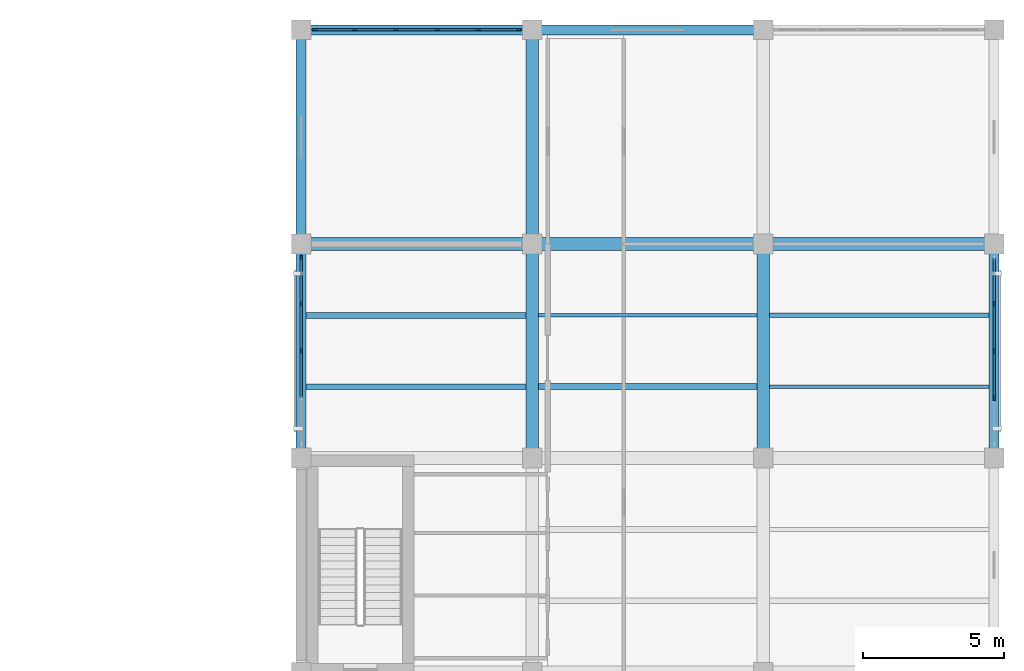
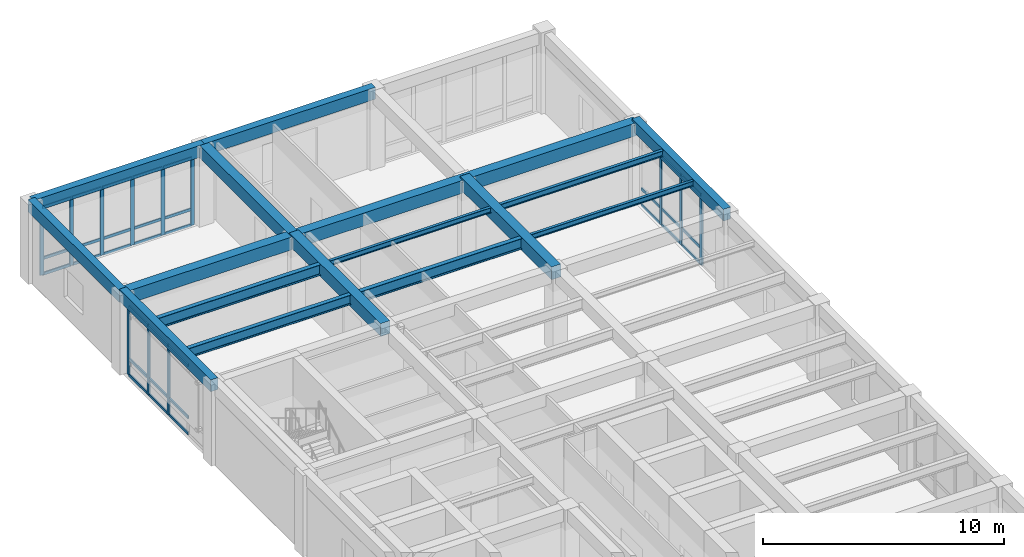
# One storey, part 4 of 13: 44 members, 17 beams, 3 elements without a shape of their own.
"""IFC4 building model written with IfcOpenShell, lengths in metres."""

from ifc_helpers import new_model, si_unit, direction, frame, origin, origin_2d, place, context, subcontext, project, spatial, rectangle, i_section, extrude, material, material_profile, profile_set, type_object, element, aggregate, save


model = new_model("IFC4")

# Units and contexts
model_context = context("Model", 3, precision=1e-05, world=origin(), true_north=direction((0.0, 1.0)))
body_context = subcontext(model_context, "Body", "Model", "MODEL_VIEW")
ifc_project = project(units=[si_unit("LENGTHUNIT", "METRE"), si_unit("AREAUNIT", "SQUARE_METRE"), si_unit("VOLUMEUNIT", "CUBIC_METRE"), si_unit("PLANEANGLEUNIT", "RADIAN"), si_unit("MASSUNIT", "GRAM", prefix="KILO")], contexts=[model_context])

# Site, building, storey
site_placement = place(None, origin())
site = spatial("IfcSite", under=ifc_project, at=site_placement, CompositionType="ELEMENT")
building_placement = place(site_placement, origin())
building = spatial("IfcBuilding", under=site, at=building_placement, Name="Qandaris Square Conservatory and Botanical Centre", CompositionType="ELEMENT")
storey_placement = place(building_placement, frame((0.0, 0.0, 61.800048828125)))
storey = spatial("IfcBuildingStorey", under=building, at=storey_placement, Name="L14", CompositionType="ELEMENT", Elevation=61.800048828125)

# Beams
ifc_material_1 = material(Name="Steel S355", Category="steel")
ifc_material_profile_1 = material_profile(ifc_material_1, i_section(OverallWidth=0.199951171875, OverallDepth=0.5, WebThickness=0.01025390625, FlangeThickness=0.01611328125, FilletRadius=0.02099609375, at=origin_2d()), Name="IPE 500")
ifc_profile_set_1 = profile_set([ifc_material_profile_1], Name="Steel S355")
beam_type_1 = type_object("IfcBeamType", Name="Composite Gallery Joist IPE 500", PredefinedType="JOIST", material=ifc_profile_set_1)
beam_1_placement = place(storey_placement, frame((139.375, 49.533203125, 3.849853515625), z_axis=(1.0, 0.0, 0.0), x_axis=(0.0, 1.0, 0.0)))
element("IfcBeam", 1, at=beam_1_placement, inside=storey, type_object=beam_type_1, Name="L14 Composite Joist 2885", PredefinedType="JOIST", context=body_context, shape_type="SweptSolid", body=[
    extrude(i_section(OverallWidth=0.199951171875, OverallDepth=0.5, WebThickness=0.01025390625, FlangeThickness=0.01611328125, FilletRadius=0.02099609375, at=origin_2d()), origin(), (0.0, 0.0, 1.0), 7.800048828125),
])
ifc_material_profile_2 = material_profile(ifc_material_1, i_section(OverallWidth=0.14990234375, OverallDepth=0.300048828125, WebThickness=0.007080078125, FlangeThickness=0.0107421875, FilletRadius=0.014892578125, at=origin_2d()), Name="IPE 300")
ifc_profile_set_2 = profile_set([ifc_material_profile_2], Name="Steel S355")
beam_type_2 = type_object("IfcBeamType", Name="Composite Lab Joist IPE 300", PredefinedType="JOIST", material=ifc_profile_set_2)
beam_2_placement = place(storey_placement, frame((155.824951171875, 52.066650390625, 3.949951171875), z_axis=(1.0, 0.0, 0.0), x_axis=(0.0, 1.0, 0.0)))
element("IfcBeam", 2, at=beam_2_placement, inside=storey, type_object=beam_type_2, Name="L14 Composite Joist 2903", PredefinedType="JOIST", context=body_context, shape_type="SweptSolid", body=[
    extrude(i_section(OverallWidth=0.14990234375, OverallDepth=0.300048828125, WebThickness=0.007080078125, FlangeThickness=0.0107421875, FilletRadius=0.014892578125, at=origin_2d()), origin(), (0.0, 0.0, 1.0), 7.800048828125),
])

# Curtain wall, members
ifc_material_2 = material(Name="Anodised Aluminium", Category="aluminium")
curtain_wall_type_1 = type_object("IfcCurtainWallType", Name="Unitised Curtain Wall CW-4-670x355", PredefinedType="USERDEFINED", material=ifc_material_2)
curtain_wall_1_placement = place(storey_placement, origin())
curtain_wall_1 = element("IfcCurtainWall", 3, at=curtain_wall_1_placement, inside=storey, type_object=curtain_wall_type_1, Name="Curtain Wall CW-TWR-L14-2-5", ObjectType="GLAZED CURTAIN WALL", PredefinedType="USERDEFINED")
ifc_material_profile_3 = material_profile(ifc_material_2, rectangle(XDim=0.06494140625, YDim=0.179931640625, at=origin_2d()), Name="ALU-MUL 65x180")
ifc_profile_set_3 = profile_set([ifc_material_profile_3], Name="Anodised Aluminium")
member_type_1 = type_object("IfcMemberType", Name="Curtain Wall Mullion 65x180", PredefinedType="MULLION", material=ifc_profile_set_3)
member_1_placement = place(storey_placement, frame((163.800048828125, 49.125, 0.0), z_axis=(0.0, 0.0, 1.0), x_axis=(-1.0, 0.0, 0.0)))
member_1 = element("IfcMember", 4, at=member_1_placement, type_object=member_type_1, Name="CW-4-670x355 mullion 2", PredefinedType="MULLION", context=body_context, shape_type="SweptSolid", body=[
    extrude(rectangle(XDim=0.06494140625, YDim=0.179931640625, at=origin_2d()), origin(), (0.0, 0.0, 1.0), 3.544921875),
])
member_2_placement = place(storey_placement, frame((163.800048828125, 50.800048828125, 0.0), z_axis=(0.0, 0.0, 1.0), x_axis=(-1.0, 0.0, 0.0)))
member_2 = element("IfcMember", 5, at=member_2_placement, type_object=member_type_1, Name="CW-4-670x355 mullion 3", PredefinedType="MULLION", context=body_context, shape_type="SweptSolid", body=[
    extrude(rectangle(XDim=0.06494140625, YDim=0.179931640625, at=origin_2d()), origin(), (0.0, 0.0, 1.0), 3.544921875),
])
member_3_placement = place(storey_placement, frame((163.800048828125, 52.47509765625, 0.0), z_axis=(0.0, 0.0, 1.0), x_axis=(-1.0, 0.0, 0.0)))
member_3 = element("IfcMember", 6, at=member_3_placement, type_object=member_type_1, Name="CW-4-670x355 mullion 4", PredefinedType="MULLION", context=body_context, shape_type="SweptSolid", body=[
    extrude(rectangle(XDim=0.06494140625, YDim=0.179931640625, at=origin_2d()), origin(), (0.0, 0.0, 1.0), 3.544921875),
])

curtain_wall_type_2 = type_object("IfcCurtainWallType", Name="Unitised Curtain Wall CW-3-730x344", PredefinedType="USERDEFINED", material=ifc_material_2)
curtain_wall_2_placement = place(storey_placement, origin())
curtain_wall_2 = element("IfcCurtainWall", 7, at=curtain_wall_2_placement, inside=storey, type_object=curtain_wall_type_2, Name="Curtain Wall CW-TWR-L14-3-3", ObjectType="GLAZED CURTAIN WALL", PredefinedType="USERDEFINED")
member_4_placement = place(storey_placement, frame((146.91748046875, 62.199951171875, 0.0), z_axis=(0.0, 0.0, 1.0), x_axis=(0.0, -1.0, 0.0)))
member_4 = element("IfcMember", 8, at=member_4_placement, type_object=member_type_1, Name="CW-3-730x344 mullion 1", PredefinedType="MULLION", context=body_context, shape_type="SweptSolid", body=[
    extrude(rectangle(XDim=0.06494140625, YDim=0.179931640625, at=origin_2d()), origin(), (0.0, 0.0, 1.0), 3.43994140625),
])
member_5_placement = place(storey_placement, frame((145.489990234375, 62.199951171875, 0.0), z_axis=(0.0, 0.0, 1.0), x_axis=(0.0, -1.0, 0.0)))
member_5 = element("IfcMember", 9, at=member_5_placement, type_object=member_type_1, Name="CW-3-730x344 mullion 2", PredefinedType="MULLION", context=body_context, shape_type="SweptSolid", body=[
    extrude(rectangle(XDim=0.06494140625, YDim=0.179931640625, at=origin_2d()), origin(), (0.0, 0.0, 1.0), 3.43994140625),
])
member_6_placement = place(storey_placement, frame((144.030029296875, 62.199951171875, 0.0), z_axis=(0.0, 0.0, 1.0), x_axis=(0.0, -1.0, 0.0)))
member_6 = element("IfcMember", 10, at=member_6_placement, type_object=member_type_1, Name="CW-3-730x344 mullion 3", PredefinedType="MULLION", context=body_context, shape_type="SweptSolid", body=[
    extrude(rectangle(XDim=0.06494140625, YDim=0.179931640625, at=origin_2d()), origin(), (0.0, 0.0, 1.0), 3.43994140625),
])
member_7_placement = place(storey_placement, frame((142.570068359375, 62.199951171875, 0.0), z_axis=(0.0, 0.0, 1.0), x_axis=(0.0, -1.0, 0.0)))
member_7 = element("IfcMember", 11, at=member_7_placement, type_object=member_type_1, Name="CW-3-730x344 mullion 4", PredefinedType="MULLION", context=body_context, shape_type="SweptSolid", body=[
    extrude(rectangle(XDim=0.06494140625, YDim=0.179931640625, at=origin_2d()), origin(), (0.0, 0.0, 1.0), 3.43994140625),
])
member_8_placement = place(storey_placement, frame((141.110107421875, 62.199951171875, 0.0), z_axis=(0.0, 0.0, 1.0), x_axis=(0.0, -1.0, 0.0)))
member_8 = element("IfcMember", 12, at=member_8_placement, type_object=member_type_1, Name="CW-3-730x344 mullion 5", PredefinedType="MULLION", context=body_context, shape_type="SweptSolid", body=[
    extrude(rectangle(XDim=0.06494140625, YDim=0.179931640625, at=origin_2d()), origin(), (0.0, 0.0, 1.0), 3.43994140625),
])
member_9_placement = place(storey_placement, frame((139.6826171875, 62.199951171875, 0.0), z_axis=(0.0, 0.0, 1.0), x_axis=(0.0, -1.0, 0.0)))
member_9 = element("IfcMember", 13, at=member_9_placement, type_object=member_type_1, Name="CW-3-730x344 mullion 6", PredefinedType="MULLION", context=body_context, shape_type="SweptSolid", body=[
    extrude(rectangle(XDim=0.06494140625, YDim=0.179931640625, at=origin_2d()), origin(), (0.0, 0.0, 1.0), 3.43994140625),
])

curtain_wall_type_3 = type_object("IfcCurtainWallType", Name="Unitised Curtain Wall CW-4-670x351", PredefinedType="USERDEFINED", material=ifc_material_2)
curtain_wall_3_placement = place(storey_placement, origin())
curtain_wall_3 = element("IfcCurtainWall", 14, at=curtain_wall_3_placement, inside=storey, type_object=curtain_wall_type_3, Name="Curtain Wall CW-TWR-L14-4-2", ObjectType="GLAZED CURTAIN WALL", PredefinedType="USERDEFINED")
member_10_placement = place(storey_placement, frame((139.199951171875, 54.117431640625, 0.0), z_axis=(0.0, 0.0, 1.0), x_axis=(1.0, 0.0, 0.0)))
member_10 = element("IfcMember", 15, at=member_10_placement, type_object=member_type_1, Name="CW-4-670x351 mullion 1", PredefinedType="MULLION", context=body_context, shape_type="SweptSolid", body=[
    extrude(rectangle(XDim=0.06494140625, YDim=0.179931640625, at=origin_2d()), origin(), (0.0, 0.0, 1.0), 3.510009765625),
])
member_11_placement = place(storey_placement, frame((139.199951171875, 52.47509765625, 0.0), z_axis=(0.0, 0.0, 1.0), x_axis=(1.0, 0.0, 0.0)))
member_11 = element("IfcMember", 16, at=member_11_placement, type_object=member_type_1, Name="CW-4-670x351 mullion 2", PredefinedType="MULLION", context=body_context, shape_type="SweptSolid", body=[
    extrude(rectangle(XDim=0.06494140625, YDim=0.179931640625, at=origin_2d()), origin(), (0.0, 0.0, 1.0), 3.510009765625),
])
member_12_placement = place(storey_placement, frame((139.199951171875, 50.800048828125, 0.0), z_axis=(0.0, 0.0, 1.0), x_axis=(1.0, 0.0, 0.0)))
member_12 = element("IfcMember", 17, at=member_12_placement, type_object=member_type_1, Name="CW-4-670x351 mullion 3", PredefinedType="MULLION", context=body_context, shape_type="SweptSolid", body=[
    extrude(rectangle(XDim=0.06494140625, YDim=0.179931640625, at=origin_2d()), origin(), (0.0, 0.0, 1.0), 3.510009765625),
])

# Member
ifc_material_profile_4 = material_profile(ifc_material_2, rectangle(XDim=0.06494140625, YDim=0.139892578125, at=origin_2d()), Name="ALU-TRN 65x140")
ifc_profile_set_4 = profile_set([ifc_material_profile_4], Name="Anodised Aluminium")
member_type_2 = type_object("IfcMemberType", Name="Curtain Wall Transom 65x140", PredefinedType="USERDEFINED", material=ifc_profile_set_4)
member_13_placement = place(storey_placement, frame((163.800048828125, 49.157470703125, 0.032470703125), z_axis=(0.0, 1.0, 0.0), x_axis=(-1.0, 0.0, 0.0)))
member_13 = element("IfcMember", 18, at=member_13_placement, type_object=member_type_2, Name="CW-4-670x355 transom 2.1", ObjectType="TRANSOM", PredefinedType="USERDEFINED", context=body_context, shape_type="SweptSolid", body=[
    extrude(rectangle(XDim=0.06494140625, YDim=0.139892578125, at=origin_2d()), origin(), (0.0, 0.0, 1.0), 1.610107421875),
])

member_14_placement = place(storey_placement, frame((163.800048828125, 49.157470703125, 0.849853515625), z_axis=(0.0, 1.0, 0.0), x_axis=(-1.0, 0.0, 0.0)))
member_14 = element("IfcMember", 19, at=member_14_placement, type_object=member_type_2, Name="CW-4-670x355 transom 2.2", ObjectType="TRANSOM", PredefinedType="USERDEFINED", context=body_context, shape_type="SweptSolid", body=[
    extrude(rectangle(XDim=0.06494140625, YDim=0.139892578125, at=origin_2d()), origin(), (0.0, 0.0, 1.0), 1.610107421875),
])

member_15_placement = place(storey_placement, frame((163.800048828125, 49.157470703125, 3.512451171875), z_axis=(0.0, 1.0, 0.0), x_axis=(-1.0, 0.0, 0.0)))
member_15 = element("IfcMember", 20, at=member_15_placement, type_object=member_type_2, Name="CW-4-670x355 transom 2.3", ObjectType="TRANSOM", PredefinedType="USERDEFINED", context=body_context, shape_type="SweptSolid", body=[
    extrude(rectangle(XDim=0.06494140625, YDim=0.139892578125, at=origin_2d()), origin(), (0.0, 0.0, 1.0), 1.610107421875),
])

member_16_placement = place(storey_placement, frame((163.800048828125, 50.83251953125, 0.032470703125), z_axis=(0.0, 1.0, 0.0), x_axis=(-1.0, 0.0, 0.0)))
member_16 = element("IfcMember", 21, at=member_16_placement, type_object=member_type_2, Name="CW-4-670x355 transom 3.1", ObjectType="TRANSOM", PredefinedType="USERDEFINED", context=body_context, shape_type="SweptSolid", body=[
    extrude(rectangle(XDim=0.06494140625, YDim=0.139892578125, at=origin_2d()), origin(), (0.0, 0.0, 1.0), 1.60986328125),
])

member_17_placement = place(storey_placement, frame((163.800048828125, 50.83251953125, 0.849853515625), z_axis=(0.0, 1.0, 0.0), x_axis=(-1.0, 0.0, 0.0)))
member_17 = element("IfcMember", 22, at=member_17_placement, type_object=member_type_2, Name="CW-4-670x355 transom 3.2", ObjectType="TRANSOM", PredefinedType="USERDEFINED", context=body_context, shape_type="SweptSolid", body=[
    extrude(rectangle(XDim=0.06494140625, YDim=0.139892578125, at=origin_2d()), origin(), (0.0, 0.0, 1.0), 1.60986328125),
])

member_18_placement = place(storey_placement, frame((163.800048828125, 50.83251953125, 3.512451171875), z_axis=(0.0, 1.0, 0.0), x_axis=(-1.0, 0.0, 0.0)))
member_18 = element("IfcMember", 23, at=member_18_placement, type_object=member_type_2, Name="CW-4-670x355 transom 3.3", ObjectType="TRANSOM", PredefinedType="USERDEFINED", context=body_context, shape_type="SweptSolid", body=[
    extrude(rectangle(XDim=0.06494140625, YDim=0.139892578125, at=origin_2d()), origin(), (0.0, 0.0, 1.0), 1.60986328125),
])

member_19_placement = place(storey_placement, frame((163.800048828125, 52.507568359375, 0.032470703125), z_axis=(0.0, 1.0, 0.0), x_axis=(-1.0, 0.0, 0.0)))
member_19 = element("IfcMember", 24, at=member_19_placement, type_object=member_type_2, Name="CW-4-670x355 transom 4.1", ObjectType="TRANSOM", PredefinedType="USERDEFINED", context=body_context, shape_type="SweptSolid", body=[
    extrude(rectangle(XDim=0.06494140625, YDim=0.139892578125, at=origin_2d()), origin(), (0.0, 0.0, 1.0), 1.577392578125),
])

member_20_placement = place(storey_placement, frame((163.800048828125, 52.507568359375, 0.849853515625), z_axis=(0.0, 1.0, 0.0), x_axis=(-1.0, 0.0, 0.0)))
member_20 = element("IfcMember", 25, at=member_20_placement, type_object=member_type_2, Name="CW-4-670x355 transom 4.2", ObjectType="TRANSOM", PredefinedType="USERDEFINED", context=body_context, shape_type="SweptSolid", body=[
    extrude(rectangle(XDim=0.06494140625, YDim=0.139892578125, at=origin_2d()), origin(), (0.0, 0.0, 1.0), 1.577392578125),
])

aggregate(curtain_wall_1, [member_1, member_2, member_3, member_13, member_14, member_15, member_16, member_17, member_18, member_19, member_20])

member_21_placement = place(storey_placement, frame((146.885009765625, 62.199951171875, 0.032470703125), z_axis=(-1.0, 0.0, 0.0), x_axis=(0.0, -1.0, 0.0)))
member_21 = element("IfcMember", 26, at=member_21_placement, type_object=member_type_2, Name="CW-3-730x344 transom 1.1", ObjectType="TRANSOM", PredefinedType="USERDEFINED", context=body_context, shape_type="SweptSolid", body=[
    extrude(rectangle(XDim=0.06494140625, YDim=0.139892578125, at=origin_2d()), origin(), (0.0, 0.0, 1.0), 1.362548828125),
])

member_22_placement = place(storey_placement, frame((146.885009765625, 62.199951171875, 0.825439453125), z_axis=(-1.0, 0.0, 0.0), x_axis=(0.0, -1.0, 0.0)))
member_22 = element("IfcMember", 27, at=member_22_placement, type_object=member_type_2, Name="CW-3-730x344 transom 1.2", ObjectType="TRANSOM", PredefinedType="USERDEFINED", context=body_context, shape_type="SweptSolid", body=[
    extrude(rectangle(XDim=0.06494140625, YDim=0.139892578125, at=origin_2d()), origin(), (0.0, 0.0, 1.0), 1.362548828125),
])

member_23_placement = place(storey_placement, frame((146.885009765625, 62.199951171875, 3.407470703125), z_axis=(-1.0, 0.0, 0.0), x_axis=(0.0, -1.0, 0.0)))
member_23 = element("IfcMember", 28, at=member_23_placement, type_object=member_type_2, Name="CW-3-730x344 transom 1.3", ObjectType="TRANSOM", PredefinedType="USERDEFINED", context=body_context, shape_type="SweptSolid", body=[
    extrude(rectangle(XDim=0.06494140625, YDim=0.139892578125, at=origin_2d()), origin(), (0.0, 0.0, 1.0), 1.362548828125),
])

member_24_placement = place(storey_placement, frame((145.45751953125, 62.199951171875, 0.032470703125), z_axis=(-1.0, 0.0, 0.0), x_axis=(0.0, -1.0, 0.0)))
member_24 = element("IfcMember", 29, at=member_24_placement, type_object=member_type_2, Name="CW-3-730x344 transom 2.1", ObjectType="TRANSOM", PredefinedType="USERDEFINED", context=body_context, shape_type="SweptSolid", body=[
    extrude(rectangle(XDim=0.06494140625, YDim=0.139892578125, at=origin_2d()), origin(), (0.0, 0.0, 1.0), 1.39501953125),
])

member_25_placement = place(storey_placement, frame((145.45751953125, 62.199951171875, 0.825439453125), z_axis=(-1.0, 0.0, 0.0), x_axis=(0.0, -1.0, 0.0)))
member_25 = element("IfcMember", 30, at=member_25_placement, type_object=member_type_2, Name="CW-3-730x344 transom 2.2", ObjectType="TRANSOM", PredefinedType="USERDEFINED", context=body_context, shape_type="SweptSolid", body=[
    extrude(rectangle(XDim=0.06494140625, YDim=0.139892578125, at=origin_2d()), origin(), (0.0, 0.0, 1.0), 1.39501953125),
])

member_26_placement = place(storey_placement, frame((145.45751953125, 62.199951171875, 3.407470703125), z_axis=(-1.0, 0.0, 0.0), x_axis=(0.0, -1.0, 0.0)))
member_26 = element("IfcMember", 31, at=member_26_placement, type_object=member_type_2, Name="CW-3-730x344 transom 2.3", ObjectType="TRANSOM", PredefinedType="USERDEFINED", context=body_context, shape_type="SweptSolid", body=[
    extrude(rectangle(XDim=0.06494140625, YDim=0.139892578125, at=origin_2d()), origin(), (0.0, 0.0, 1.0), 1.39501953125),
])

member_27_placement = place(storey_placement, frame((143.99755859375, 62.199951171875, 0.032470703125), z_axis=(-1.0, 0.0, 0.0), x_axis=(0.0, -1.0, 0.0)))
member_27 = element("IfcMember", 32, at=member_27_placement, type_object=member_type_2, Name="CW-3-730x344 transom 3.1", ObjectType="TRANSOM", PredefinedType="USERDEFINED", context=body_context, shape_type="SweptSolid", body=[
    extrude(rectangle(XDim=0.06494140625, YDim=0.139892578125, at=origin_2d()), origin(), (0.0, 0.0, 1.0), 1.39501953125),
])

member_28_placement = place(storey_placement, frame((143.99755859375, 62.199951171875, 0.825439453125), z_axis=(-1.0, 0.0, 0.0), x_axis=(0.0, -1.0, 0.0)))
member_28 = element("IfcMember", 33, at=member_28_placement, type_object=member_type_2, Name="CW-3-730x344 transom 3.2", ObjectType="TRANSOM", PredefinedType="USERDEFINED", context=body_context, shape_type="SweptSolid", body=[
    extrude(rectangle(XDim=0.06494140625, YDim=0.139892578125, at=origin_2d()), origin(), (0.0, 0.0, 1.0), 1.39501953125),
])

member_29_placement = place(storey_placement, frame((143.99755859375, 62.199951171875, 3.407470703125), z_axis=(-1.0, 0.0, 0.0), x_axis=(0.0, -1.0, 0.0)))
member_29 = element("IfcMember", 34, at=member_29_placement, type_object=member_type_2, Name="CW-3-730x344 transom 3.3", ObjectType="TRANSOM", PredefinedType="USERDEFINED", context=body_context, shape_type="SweptSolid", body=[
    extrude(rectangle(XDim=0.06494140625, YDim=0.139892578125, at=origin_2d()), origin(), (0.0, 0.0, 1.0), 1.39501953125),
])

member_30_placement = place(storey_placement, frame((142.53759765625, 62.199951171875, 0.032470703125), z_axis=(-1.0, 0.0, 0.0), x_axis=(0.0, -1.0, 0.0)))
member_30 = element("IfcMember", 35, at=member_30_placement, type_object=member_type_2, Name="CW-3-730x344 transom 4.1", ObjectType="TRANSOM", PredefinedType="USERDEFINED", context=body_context, shape_type="SweptSolid", body=[
    extrude(rectangle(XDim=0.06494140625, YDim=0.139892578125, at=origin_2d()), origin(), (0.0, 0.0, 1.0), 1.39501953125),
])

member_31_placement = place(storey_placement, frame((142.53759765625, 62.199951171875, 0.825439453125), z_axis=(-1.0, 0.0, 0.0), x_axis=(0.0, -1.0, 0.0)))
member_31 = element("IfcMember", 36, at=member_31_placement, type_object=member_type_2, Name="CW-3-730x344 transom 4.2", ObjectType="TRANSOM", PredefinedType="USERDEFINED", context=body_context, shape_type="SweptSolid", body=[
    extrude(rectangle(XDim=0.06494140625, YDim=0.139892578125, at=origin_2d()), origin(), (0.0, 0.0, 1.0), 1.39501953125),
])

member_32_placement = place(storey_placement, frame((142.53759765625, 62.199951171875, 3.407470703125), z_axis=(-1.0, 0.0, 0.0), x_axis=(0.0, -1.0, 0.0)))
member_32 = element("IfcMember", 37, at=member_32_placement, type_object=member_type_2, Name="CW-3-730x344 transom 4.3", ObjectType="TRANSOM", PredefinedType="USERDEFINED", context=body_context, shape_type="SweptSolid", body=[
    extrude(rectangle(XDim=0.06494140625, YDim=0.139892578125, at=origin_2d()), origin(), (0.0, 0.0, 1.0), 1.39501953125),
])

member_33_placement = place(storey_placement, frame((141.077392578125, 62.199951171875, 0.032470703125), z_axis=(-1.0, 0.0, 0.0), x_axis=(0.0, -1.0, 0.0)))
member_33 = element("IfcMember", 38, at=member_33_placement, type_object=member_type_2, Name="CW-3-730x344 transom 5.1", ObjectType="TRANSOM", PredefinedType="USERDEFINED", context=body_context, shape_type="SweptSolid", body=[
    extrude(rectangle(XDim=0.06494140625, YDim=0.139892578125, at=origin_2d()), origin(), (0.0, 0.0, 1.0), 1.3623046875),
])

member_34_placement = place(storey_placement, frame((141.077392578125, 62.199951171875, 0.825439453125), z_axis=(-1.0, 0.0, 0.0), x_axis=(0.0, -1.0, 0.0)))
member_34 = element("IfcMember", 39, at=member_34_placement, type_object=member_type_2, Name="CW-3-730x344 transom 5.2", ObjectType="TRANSOM", PredefinedType="USERDEFINED", context=body_context, shape_type="SweptSolid", body=[
    extrude(rectangle(XDim=0.06494140625, YDim=0.139892578125, at=origin_2d()), origin(), (0.0, 0.0, 1.0), 1.3623046875),
])

member_35_placement = place(storey_placement, frame((141.077392578125, 62.199951171875, 3.407470703125), z_axis=(-1.0, 0.0, 0.0), x_axis=(0.0, -1.0, 0.0)))
member_35 = element("IfcMember", 40, at=member_35_placement, type_object=member_type_2, Name="CW-3-730x344 transom 5.3", ObjectType="TRANSOM", PredefinedType="USERDEFINED", context=body_context, shape_type="SweptSolid", body=[
    extrude(rectangle(XDim=0.06494140625, YDim=0.139892578125, at=origin_2d()), origin(), (0.0, 0.0, 1.0), 1.3623046875),
])

aggregate(curtain_wall_2, [member_4, member_5, member_6, member_7, member_8, member_9, member_21, member_22, member_23, member_24, member_25, member_26, member_27, member_28, member_29, member_30, member_31, member_32, member_33, member_34, member_35])

member_36_placement = place(storey_placement, frame((139.199951171875, 54.0849609375, 0.032470703125), z_axis=(0.0, -1.0, 0.0), x_axis=(1.0, 0.0, 0.0)))
member_36 = element("IfcMember", 41, at=member_36_placement, type_object=member_type_2, Name="CW-4-670x351 transom 1.1", ObjectType="TRANSOM", PredefinedType="USERDEFINED", context=body_context, shape_type="SweptSolid", body=[
    extrude(rectangle(XDim=0.06494140625, YDim=0.139892578125, at=origin_2d()), origin(), (0.0, 0.0, 1.0), 1.577392578125),
])

member_37_placement = place(storey_placement, frame((139.199951171875, 54.0849609375, 0.84228515625), z_axis=(0.0, -1.0, 0.0), x_axis=(1.0, 0.0, 0.0)))
member_37 = element("IfcMember", 42, at=member_37_placement, type_object=member_type_2, Name="CW-4-670x351 transom 1.2", ObjectType="TRANSOM", PredefinedType="USERDEFINED", context=body_context, shape_type="SweptSolid", body=[
    extrude(rectangle(XDim=0.06494140625, YDim=0.139892578125, at=origin_2d()), origin(), (0.0, 0.0, 1.0), 1.577392578125),
])

member_38_placement = place(storey_placement, frame((139.199951171875, 54.0849609375, 3.4775390625), z_axis=(0.0, -1.0, 0.0), x_axis=(1.0, 0.0, 0.0)))
member_38 = element("IfcMember", 43, at=member_38_placement, type_object=member_type_2, Name="CW-4-670x351 transom 1.3", ObjectType="TRANSOM", PredefinedType="USERDEFINED", context=body_context, shape_type="SweptSolid", body=[
    extrude(rectangle(XDim=0.06494140625, YDim=0.139892578125, at=origin_2d()), origin(), (0.0, 0.0, 1.0), 1.577392578125),
])

member_39_placement = place(storey_placement, frame((139.199951171875, 52.4423828125, 0.032470703125), z_axis=(0.0, -1.0, 0.0), x_axis=(1.0, 0.0, 0.0)))
member_39 = element("IfcMember", 44, at=member_39_placement, type_object=member_type_2, Name="CW-4-670x351 transom 2.1", ObjectType="TRANSOM", PredefinedType="USERDEFINED", context=body_context, shape_type="SweptSolid", body=[
    extrude(rectangle(XDim=0.06494140625, YDim=0.139892578125, at=origin_2d()), origin(), (0.0, 0.0, 1.0), 1.60986328125),
])

member_40_placement = place(storey_placement, frame((139.199951171875, 52.4423828125, 0.84228515625), z_axis=(0.0, -1.0, 0.0), x_axis=(1.0, 0.0, 0.0)))
member_40 = element("IfcMember", 45, at=member_40_placement, type_object=member_type_2, Name="CW-4-670x351 transom 2.2", ObjectType="TRANSOM", PredefinedType="USERDEFINED", context=body_context, shape_type="SweptSolid", body=[
    extrude(rectangle(XDim=0.06494140625, YDim=0.139892578125, at=origin_2d()), origin(), (0.0, 0.0, 1.0), 1.60986328125),
])

member_41_placement = place(storey_placement, frame((139.199951171875, 52.4423828125, 3.4775390625), z_axis=(0.0, -1.0, 0.0), x_axis=(1.0, 0.0, 0.0)))
member_41 = element("IfcMember", 46, at=member_41_placement, type_object=member_type_2, Name="CW-4-670x351 transom 2.3", ObjectType="TRANSOM", PredefinedType="USERDEFINED", context=body_context, shape_type="SweptSolid", body=[
    extrude(rectangle(XDim=0.06494140625, YDim=0.139892578125, at=origin_2d()), origin(), (0.0, 0.0, 1.0), 1.60986328125),
])

member_42_placement = place(storey_placement, frame((139.199951171875, 50.767578125, 0.032470703125), z_axis=(0.0, -1.0, 0.0), x_axis=(1.0, 0.0, 0.0)))
member_42 = element("IfcMember", 47, at=member_42_placement, type_object=member_type_2, Name="CW-4-670x351 transom 3.1", ObjectType="TRANSOM", PredefinedType="USERDEFINED", context=body_context, shape_type="SweptSolid", body=[
    extrude(rectangle(XDim=0.06494140625, YDim=0.139892578125, at=origin_2d()), origin(), (0.0, 0.0, 1.0), 1.610107421875),
])

member_43_placement = place(storey_placement, frame((139.199951171875, 50.767578125, 0.84228515625), z_axis=(0.0, -1.0, 0.0), x_axis=(1.0, 0.0, 0.0)))
member_43 = element("IfcMember", 48, at=member_43_placement, type_object=member_type_2, Name="CW-4-670x351 transom 3.2", ObjectType="TRANSOM", PredefinedType="USERDEFINED", context=body_context, shape_type="SweptSolid", body=[
    extrude(rectangle(XDim=0.06494140625, YDim=0.139892578125, at=origin_2d()), origin(), (0.0, 0.0, 1.0), 1.610107421875),
])

member_44_placement = place(storey_placement, frame((139.199951171875, 50.767578125, 3.4775390625), z_axis=(0.0, -1.0, 0.0), x_axis=(1.0, 0.0, 0.0)))
member_44 = element("IfcMember", 49, at=member_44_placement, type_object=member_type_2, Name="CW-4-670x351 transom 3.3", ObjectType="TRANSOM", PredefinedType="USERDEFINED", context=body_context, shape_type="SweptSolid", body=[
    extrude(rectangle(XDim=0.06494140625, YDim=0.139892578125, at=origin_2d()), origin(), (0.0, 0.0, 1.0), 1.610107421875),
])

aggregate(curtain_wall_3, [member_10, member_11, member_12, member_36, member_37, member_38, member_39, member_40, member_41, member_42, member_43, member_44])

# Beams
ifc_material_profile_5 = material_profile(ifc_material_1, i_section(OverallWidth=0.2099609375, OverallDepth=0.550048828125, WebThickness=0.010986328125, FlangeThickness=0.01708984375, FilletRadius=0.02392578125, at=origin_2d()), Name="IPE 550")
ifc_profile_set_5 = profile_set([ifc_material_profile_5], Name="Steel S355")
beam_type_3 = type_object("IfcBeamType", Name="Long-Span Foyer Joist IPE 550", PredefinedType="JOIST", material=ifc_profile_set_5)
beam_3_placement = place(storey_placement, frame((139.375, 52.066650390625, 3.824951171875), z_axis=(1.0, 0.0, 0.0), x_axis=(0.0, 1.0, 0.0)))
element("IfcBeam", 50, at=beam_3_placement, inside=storey, type_object=beam_type_3, Name="L14 Composite Joist 2886", PredefinedType="JOIST", context=body_context, shape_type="SweptSolid", body=[
    extrude(i_section(OverallWidth=0.2099609375, OverallDepth=0.550048828125, WebThickness=0.010986328125, FlangeThickness=0.01708984375, FilletRadius=0.02392578125, at=origin_2d()), origin(), (0.0, 0.0, 1.0), 7.800048828125),
])
beam_4_placement = place(storey_placement, frame((147.625, 49.533203125, 3.824951171875), z_axis=(1.0, 0.0, 0.0), x_axis=(0.0, 1.0, 0.0)))
element("IfcBeam", 51, at=beam_4_placement, inside=storey, type_object=beam_type_3, Name="L14 Composite Joist 2892", PredefinedType="JOIST", context=body_context, shape_type="SweptSolid", body=[
    extrude(i_section(OverallWidth=0.2099609375, OverallDepth=0.550048828125, WebThickness=0.010986328125, FlangeThickness=0.01708984375, FilletRadius=0.02392578125, at=origin_2d()), origin(), (0.0, 0.0, 1.0), 7.75),
])
ifc_material_3 = material(Name="Concrete C50/60", Category="concrete")
ifc_material_profile_6 = material_profile(ifc_material_3, rectangle(XDim=0.35009765625, YDim=0.60009765625, at=origin_2d()), Name="RC-SP 350x600")
ifc_profile_set_6 = profile_set([ifc_material_profile_6], Name="Concrete C50/60")
beam_type_4 = type_object("IfcBeamType", Name="RC Edge Spandrel Beam 350x600", PredefinedType="SPANDREL", material=ifc_profile_set_6)
beam_5_placement = place(storey_placement, frame((139.199951171875, 62.199951171875, 3.739990234375), z_axis=(1.0, 0.0, 0.0), x_axis=(0.0, 1.0, 0.0)))
element("IfcBeam", 52, at=beam_5_placement, inside=storey, type_object=beam_type_4, Name="L14 Frame Beam 2847", PredefinedType="SPANDREL", context=body_context, shape_type="SweptSolid", body=[
    extrude(rectangle(XDim=0.35009765625, YDim=0.60009765625, at=origin_2d()), origin(), (0.0, 0.0, 1.0), 8.199951171875),
])
beam_6_placement = place(storey_placement, frame((147.39990234375, 62.199951171875, 3.739990234375), z_axis=(1.0, 0.0, 0.0), x_axis=(0.0, 1.0, 0.0)))
element("IfcBeam", 53, at=beam_6_placement, inside=storey, type_object=beam_type_4, Name="L14 Frame Beam 2848", PredefinedType="SPANDREL", context=body_context, shape_type="SweptSolid", body=[
    extrude(rectangle(XDim=0.35009765625, YDim=0.60009765625, at=origin_2d()), origin(), (0.0, 0.0, 1.0), 8.2001953125),
])
beam_7_placement = place(storey_placement, frame((139.199951171875, 47.0, 3.81005859375), z_axis=(0.0, 1.0, 0.0), x_axis=(-1.0, 0.0, 0.0)))
element("IfcBeam", 54, at=beam_7_placement, inside=storey, type_object=beam_type_4, Name="L14 Frame Beam 2858", PredefinedType="SPANDREL", context=body_context, shape_type="SweptSolid", body=[
    extrude(rectangle(XDim=0.35009765625, YDim=0.60009765625, at=origin_2d()), origin(), (0.0, 0.0, 1.0), 7.60009765625),
])
beam_8_placement = place(storey_placement, frame((139.199951171875, 54.60009765625, 3.739990234375), z_axis=(0.0, 1.0, 0.0), x_axis=(-1.0, 0.0, 0.0)))
element("IfcBeam", 55, at=beam_8_placement, inside=storey, type_object=beam_type_4, Name="L14 Frame Beam 2859", PredefinedType="SPANDREL", context=body_context, shape_type="SweptSolid", body=[
    extrude(rectangle(XDim=0.35009765625, YDim=0.60009765625, at=origin_2d()), origin(), (0.0, 0.0, 1.0), 7.599853515625),
])
beam_9_placement = place(storey_placement, frame((163.800048828125, 47.0, 3.844970703125), z_axis=(0.0, 1.0, 0.0), x_axis=(-1.0, 0.0, 0.0)))
element("IfcBeam", 56, at=beam_9_placement, inside=storey, type_object=beam_type_4, Name="L14 Frame Beam 2876", PredefinedType="SPANDREL", context=body_context, shape_type="SweptSolid", body=[
    extrude(rectangle(XDim=0.35009765625, YDim=0.60009765625, at=origin_2d()), origin(), (0.0, 0.0, 1.0), 7.60009765625),
])
ifc_material_profile_7 = material_profile(ifc_material_3, rectangle(XDim=0.449951171875, YDim=0.64990234375, at=origin_2d()), Name="RC-BM 450x650")
ifc_profile_set_7 = profile_set([ifc_material_profile_7], Name="Concrete C50/60")
beam_type_5 = type_object("IfcBeamType", Name="RC Floor Girder 450x650", PredefinedType="BEAM", material=ifc_profile_set_7)
beam_10_placement = place(storey_placement, frame((139.199951171875, 54.60009765625, 3.71484375), z_axis=(1.0, 0.0, 0.0), x_axis=(0.0, 1.0, 0.0)))
element("IfcBeam", 57, at=beam_10_placement, inside=storey, type_object=beam_type_5, Name="L14 Frame Beam 2844", PredefinedType="BEAM", context=body_context, shape_type="SweptSolid", body=[
    extrude(rectangle(XDim=0.449951171875, YDim=0.64990234375, at=origin_2d()), origin(), (0.0, 0.0, 1.0), 8.199951171875),
])
beam_11_placement = place(storey_placement, frame((147.39990234375, 54.60009765625, 3.71484375), z_axis=(1.0, 0.0, 0.0), x_axis=(0.0, 1.0, 0.0)))
element("IfcBeam", 58, at=beam_11_placement, inside=storey, type_object=beam_type_5, Name="L14 Frame Beam 2845", PredefinedType="BEAM", context=body_context, shape_type="SweptSolid", body=[
    extrude(rectangle(XDim=0.449951171875, YDim=0.64990234375, at=origin_2d()), origin(), (0.0, 0.0, 1.0), 8.2001953125),
])
beam_12_placement = place(storey_placement, frame((155.60009765625, 54.60009765625, 3.71484375), z_axis=(1.0, 0.0, 0.0), x_axis=(0.0, 1.0, 0.0)))
element("IfcBeam", 59, at=beam_12_placement, inside=storey, type_object=beam_type_5, Name="L14 Frame Beam 2846", PredefinedType="BEAM", context=body_context, shape_type="SweptSolid", body=[
    extrude(rectangle(XDim=0.449951171875, YDim=0.64990234375, at=origin_2d()), origin(), (0.0, 0.0, 1.0), 8.199951171875),
])
beam_13_placement = place(storey_placement, frame((147.39990234375, 47.0, 3.784912109375), z_axis=(0.0, 1.0, 0.0), x_axis=(-1.0, 0.0, 0.0)))
element("IfcBeam", 60, at=beam_13_placement, inside=storey, type_object=beam_type_5, Name="L14 Frame Beam 2864", PredefinedType="BEAM", context=body_context, shape_type="SweptSolid", body=[
    extrude(rectangle(XDim=0.449951171875, YDim=0.64990234375, at=origin_2d()), origin(), (0.0, 0.0, 1.0), 7.60009765625),
])
beam_14_placement = place(storey_placement, frame((147.39990234375, 54.60009765625, 3.71484375), z_axis=(0.0, 1.0, 0.0), x_axis=(-1.0, 0.0, 0.0)))
element("IfcBeam", 61, at=beam_14_placement, inside=storey, type_object=beam_type_5, Name="L14 Frame Beam 2865", PredefinedType="BEAM", context=body_context, shape_type="SweptSolid", body=[
    extrude(rectangle(XDim=0.449951171875, YDim=0.64990234375, at=origin_2d()), origin(), (0.0, 0.0, 1.0), 7.599853515625),
])
beam_15_placement = place(storey_placement, frame((155.60009765625, 47.0, 3.784912109375), z_axis=(0.0, 1.0, 0.0), x_axis=(-1.0, 0.0, 0.0)))
element("IfcBeam", 62, at=beam_15_placement, inside=storey, type_object=beam_type_5, Name="L14 Frame Beam 2870", PredefinedType="BEAM", context=body_context, shape_type="SweptSolid", body=[
    extrude(rectangle(XDim=0.449951171875, YDim=0.64990234375, at=origin_2d()), origin(), (0.0, 0.0, 1.0), 7.60009765625),
])
ifc_material_profile_8 = material_profile(ifc_material_1, i_section(OverallWidth=0.135009765625, OverallDepth=0.27001953125, WebThickness=0.006591796875, FlangeThickness=0.01025390625, FilletRadius=0.014892578125, at=origin_2d()), Name="IPE 270")
ifc_profile_set_8 = profile_set([ifc_material_profile_8], Name="Steel S355")
beam_type_6 = type_object("IfcBeamType", Name="Steel Floor Joist IPE 270", PredefinedType="JOIST", material=ifc_profile_set_8)
beam_16_placement = place(storey_placement, frame((147.625, 52.066650390625, 3.96484375), z_axis=(1.0, 0.0, 0.0), x_axis=(0.0, 1.0, 0.0)))
element("IfcBeam", 63, at=beam_16_placement, inside=storey, type_object=beam_type_6, Name="L14 Composite Joist 2893", PredefinedType="JOIST", context=body_context, shape_type="SweptSolid", body=[
    extrude(i_section(OverallWidth=0.135009765625, OverallDepth=0.27001953125, WebThickness=0.006591796875, FlangeThickness=0.01025390625, FilletRadius=0.014892578125, at=origin_2d()), origin(), (0.0, 0.0, 1.0), 7.75),
])
beam_17_placement = place(storey_placement, frame((155.824951171875, 49.533203125, 3.96484375), z_axis=(1.0, 0.0, 0.0), x_axis=(0.0, 1.0, 0.0)))
element("IfcBeam", 64, at=beam_17_placement, inside=storey, type_object=beam_type_6, Name="L14 Composite Joist 2902", PredefinedType="JOIST", context=body_context, shape_type="SweptSolid", body=[
    extrude(i_section(OverallWidth=0.135009765625, OverallDepth=0.27001953125, WebThickness=0.006591796875, FlangeThickness=0.01025390625, FilletRadius=0.014892578125, at=origin_2d()), origin(), (0.0, 0.0, 1.0), 7.800048828125),
])

save(model, "model.ifc")
